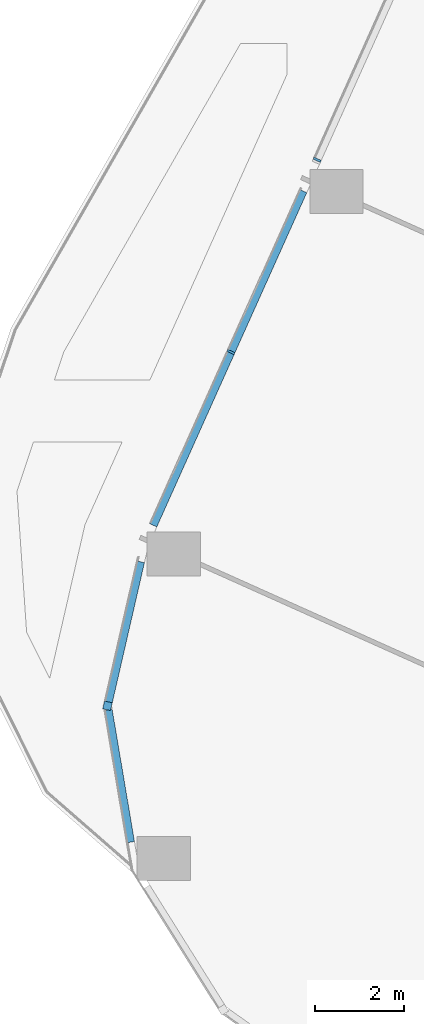
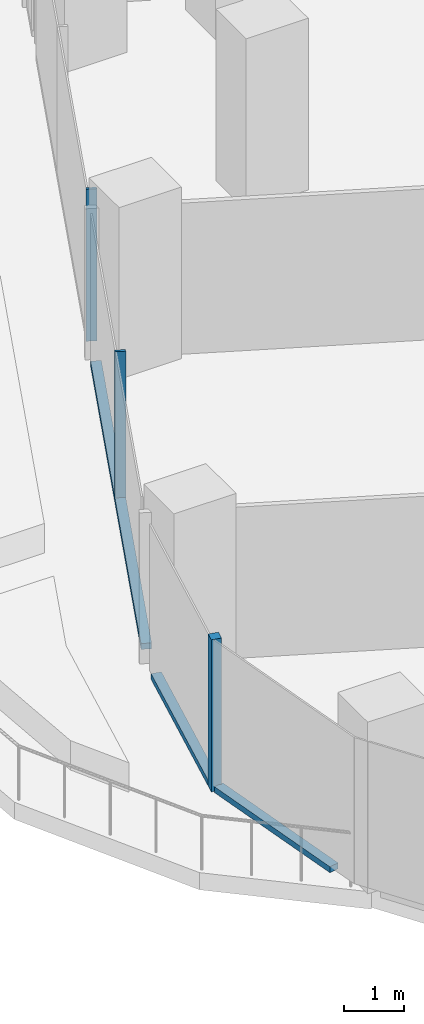
# One storey, part 3 of 32: 6 members, 3 elements without a shape of their own.
"""IFC4 building model written with IfcOpenShell, lengths in metres."""

from ifc_helpers import new_model, si_unit, direction, frame, origin, origin_2d, place, context, subcontext, project, spatial, rectangle, extrude, material, material_profile, profile_set, type_object, element, aggregate, save


model = new_model("IFC4")

# Units and contexts
model_context = context("Model", 3, precision=1e-05, world=origin(), true_north=direction((0.0, 1.0)))
body_context = subcontext(model_context, "Body", "Model", "MODEL_VIEW")
ifc_project = project(units=[si_unit("LENGTHUNIT", "METRE"), si_unit("AREAUNIT", "SQUARE_METRE"), si_unit("VOLUMEUNIT", "CUBIC_METRE"), si_unit("PLANEANGLEUNIT", "RADIAN"), si_unit("MASSUNIT", "GRAM", prefix="KILO")], contexts=[model_context])

# Site, building, storey
site_placement = place(None, origin())
site = spatial("IfcSite", under=ifc_project, at=site_placement, CompositionType="ELEMENT")
building_placement = place(site_placement, origin())
building = spatial("IfcBuilding", under=site, at=building_placement, Name="Orlundy Tower", CompositionType="ELEMENT")
storey_placement = place(building_placement, frame((0.0, 0.0, 123.699951171875)))
storey = spatial("IfcBuildingStorey", under=building, at=storey_placement, Name="L31", CompositionType="ELEMENT", Elevation=123.699951171875)

# Curtain wall, member
ifc_material_1 = material(Name="Aluminium bronze anodised", Category="aluminium")
curtain_wall_type = type_object("IfcCurtainWallType", Name="CW1 wall", PredefinedType="NOTDEFINED", material=ifc_material_1)
curtain_wall_1_placement = place(storey_placement, origin())
curtain_wall_1 = element("IfcCurtainWall", 1, at=curtain_wall_1_placement, inside=storey, type_object=curtain_wall_type, Name="CW1 run 027", PredefinedType="NOTDEFINED")
ifc_material_2 = material(Name="Aluminium bronze anodised", Category="aluminium")
ifc_material_profile_1 = material_profile(ifc_material_2, rectangle(XDim=0.179931640625, YDim=0.179931640625, at=origin_2d()), Name="CW1 corner post 180x180")
ifc_profile_set_1 = profile_set([ifc_material_profile_1], Name="Aluminium bronze anodised")
member_type_1 = type_object("IfcMemberType", Name="CW1 corner post 180x180", PredefinedType="MULLION", material=ifc_profile_set_1)
member_1_placement = place(storey_placement, frame((-40.046630859375, -41.952392578125, 0.0), z_axis=(0.0, 0.0, 1.0), x_axis=(-0.974672322571, 0.223637795584, 0.0)))
member_1 = element("IfcMember", 2, at=member_1_placement, type_object=member_type_1, Name="CW1 mullion 68", PredefinedType="MULLION", context=body_context, shape_type="SweptSolid", body=[
    extrude(rectangle(XDim=0.179931640625, YDim=0.179931640625, at=origin_2d()), origin(), (0.0, 0.0, 1.0), 3.10009765625),
])

# Curtain wall, members
curtain_wall_2_placement = place(storey_placement, origin())
curtain_wall_2 = element("IfcCurtainWall", 3, at=curtain_wall_2_placement, inside=storey, type_object=curtain_wall_type, Name="CW1 run 00", PredefinedType="NOTDEFINED")
ifc_material_3 = material(Name="Aluminium bronze anodised", Category="aluminium")
ifc_material_profile_2 = material_profile(ifc_material_3, rectangle(XDim=0.179931640625, YDim=0.050048828125, at=origin_2d()), Name="CW1 mullion 50x180")
ifc_profile_set_2 = profile_set([ifc_material_profile_2], Name="Aluminium bronze anodised")
member_type_2 = type_object("IfcMemberType", Name="CW1 mullion 50x180", PredefinedType="MULLION", material=ifc_profile_set_2)
member_2_placement = place(storey_placement, frame((-37.26123046875, -33.966552734375, 0.0), z_axis=(0.0, 0.0, 1.0), x_axis=(-0.912353169834, 0.409404071174, 0.0)))
member_2 = element("IfcMember", 4, at=member_2_placement, type_object=member_type_2, Name="CW1 mullion 2", PredefinedType="MULLION", context=body_context, shape_type="SweptSolid", body=[
    extrude(rectangle(XDim=0.179931640625, YDim=0.050048828125, at=origin_2d()), origin(), (0.0, 0.0, 1.0), 3.10009765625),
])
member_3_placement = place(storey_placement, frame((-35.314453125, -29.628173828125, 0.0), z_axis=(0.0, 0.0, 1.0), x_axis=(-0.912353169834, 0.409404071174, 0.0)))
member_3 = element("IfcMember", 5, at=member_3_placement, type_object=member_type_2, Name="CW1 mullion 3", PredefinedType="MULLION", context=body_context, shape_type="SweptSolid", body=[
    extrude(rectangle(XDim=0.179931640625, YDim=0.050048828125, at=origin_2d()), origin(), (0.0, 0.0, 1.0), 3.10009765625),
])
ifc_material_4 = material(Name="Aluminium bronze anodised", Category="aluminium")
ifc_material_profile_3 = material_profile(ifc_material_4, rectangle(XDim=0.179931640625, YDim=0.1201171875, at=origin_2d()), Name="CW1 transom 180x120")
ifc_profile_set_3 = profile_set([ifc_material_profile_3], Name="Aluminium bronze anodised")
member_type_3 = type_object("IfcMemberType", Name="CW1 transom 180x120", PredefinedType="USERDEFINED", material=ifc_profile_set_3)
member_4_placement = place(storey_placement, frame((-39.015869140625, -37.876953125, 0.06005859375), z_axis=(0.409379753605, 0.91236408157, 0.0), x_axis=(-0.91236408157, 0.409379753605, 0.0)))
member_4 = element("IfcMember", 6, at=member_4_placement, type_object=member_type_3, Name="CW1 transom", ObjectType="TRANSOM", PredefinedType="USERDEFINED", context=body_context, shape_type="SweptSolid", body=[
    extrude(rectangle(XDim=0.179931640625, YDim=0.1201171875, at=origin_2d()), origin(), (0.0, 0.0, 1.0), 8.26806640625),
])
aggregate(curtain_wall_2, [member_2, member_3, member_4])

# Curtain wall, member
curtain_wall_3_placement = place(storey_placement, origin())
curtain_wall_3 = element("IfcCurtainWall", 7, at=curtain_wall_3_placement, inside=storey, type_object=curtain_wall_type, Name="CW1 run 026", PredefinedType="NOTDEFINED")
member_5_placement = place(storey_placement, frame((-39.527099609375, -45.031005859375, 0.06005859375), z_axis=(-0.166427336794, 0.986053721441, 0.0), x_axis=(-0.986053721441, -0.166427336794, 0.0)))
member_5 = element("IfcMember", 8, at=member_5_placement, type_object=member_type_3, Name="CW1 transom", ObjectType="TRANSOM", PredefinedType="USERDEFINED", context=body_context, shape_type="SweptSolid", body=[
    extrude(rectangle(XDim=0.179931640625, YDim=0.1201171875, at=origin_2d()), origin(), (0.0, 0.0, 1.0), 3.02490234375),
])
aggregate(curtain_wall_3, [member_5])

# Member
member_6_placement = place(storey_placement, frame((-40.026611328125, -41.864501953125, 0.06005859375), z_axis=(0.223633818771, 0.974673235039, 0.0), x_axis=(-0.974673235039, 0.223633818771, 0.0)))
member_6 = element("IfcMember", 9, at=member_6_placement, type_object=member_type_3, Name="CW1 transom", ObjectType="TRANSOM", PredefinedType="USERDEFINED", context=body_context, shape_type="SweptSolid", body=[
    extrude(rectangle(XDim=0.179931640625, YDim=0.1201171875, at=origin_2d()), origin(), (0.0, 0.0, 1.0), 3.24462890625),
])

aggregate(curtain_wall_1, [member_1, member_6])

save(model, "model.ifc")
